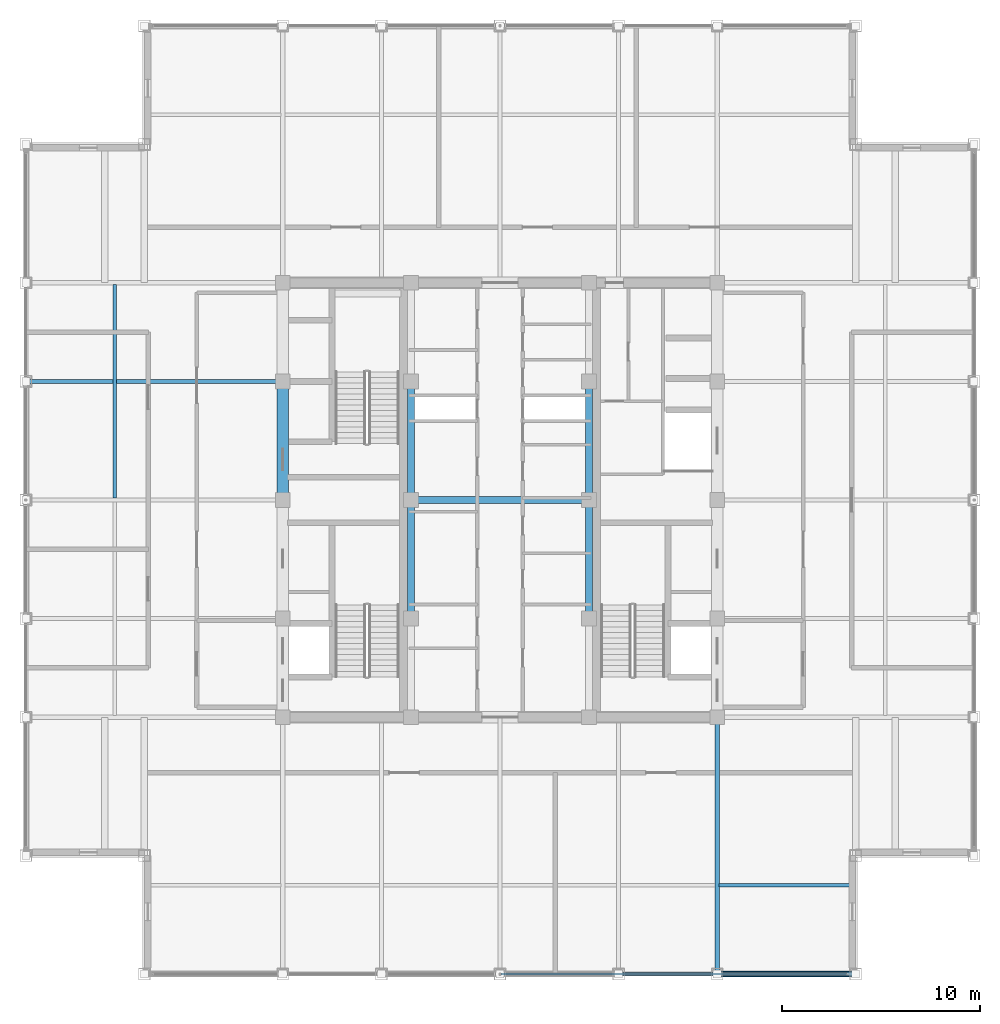
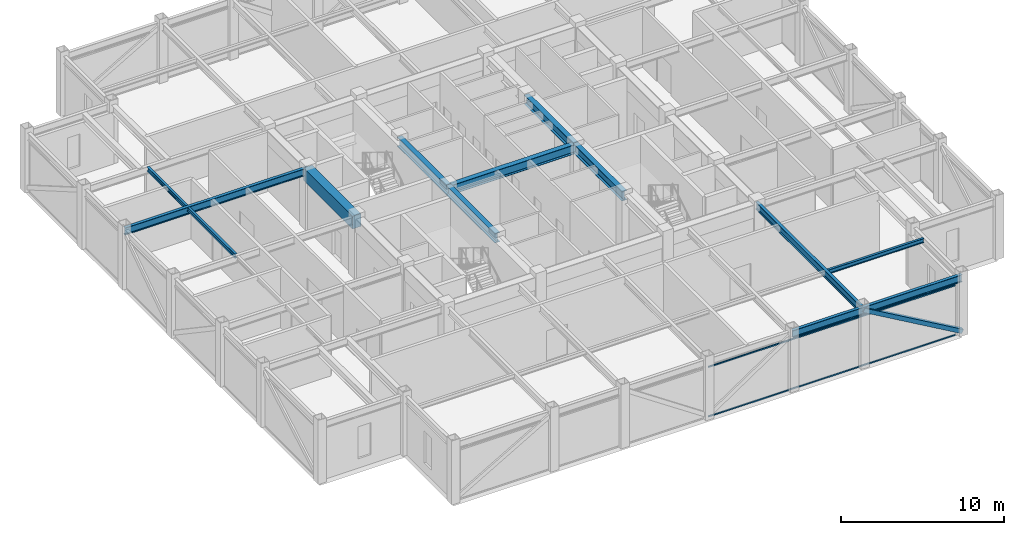
# One storey, part 7 of 27: 12 beams, 3 members, 1 element without a shape of its own.
"""IFC4 building model written with IfcOpenShell, lengths in metres."""

from ifc_helpers import new_model, si_unit, direction, frame, origin, origin_2d, place, context, subcontext, project, spatial, rectangle, hollow_rectangle, i_section, extrude, source, transform, mapped, material, material_profile, profile_set, type_object, element, aggregate, save


model = new_model("IFC4")

# Units and contexts
model_context = context("Model", 3, precision=1e-05, world=origin(), true_north=direction((0.0, 1.0)))
body_context = subcontext(model_context, "Body", "Model", "MODEL_VIEW")
ifc_project = project(units=[si_unit("LENGTHUNIT", "METRE"), si_unit("AREAUNIT", "SQUARE_METRE"), si_unit("VOLUMEUNIT", "CUBIC_METRE"), si_unit("PLANEANGLEUNIT", "RADIAN"), si_unit("MASSUNIT", "GRAM", prefix="KILO")], contexts=[model_context])

# Site, building, storey
site_placement = place(None, origin())
site = spatial("IfcSite", under=ifc_project, at=site_placement, CompositionType="ELEMENT")
building_placement = place(site_placement, origin())
building = spatial("IfcBuilding", under=site, at=building_placement, Name="Khorayat Bourse Tower", CompositionType="ELEMENT")
storey_placement = place(building_placement, frame((0.0, 0.0, 389.89990234375)))
storey = spatial("IfcBuildingStorey", under=building, at=storey_placement, Name="L92", CompositionType="ELEMENT", Elevation=389.89990234375)

# Beams
ifc_material_1 = material(Name="Steel ASTM A992 Grade 50", Category="steel")
ifc_material_profile_1 = material_profile(ifc_material_1, i_section(OverallWidth=0.35498046875, OverallDepth=0.695068359375, WebThickness=0.015380859375, FlangeThickness=0.02490234375, FilletRadius=0.01806640625, at=origin_2d()), Name="W690X217")
ifc_profile_set_1 = profile_set([ifc_material_profile_1], Name="Steel ASTM A992 Grade 50")
beam_type_1 = type_object("IfcBeamType", Name="BM-GIRD-690", PredefinedType="BEAM", material=ifc_profile_set_1)
shared_shape_1 = source(origin(), body_context, "Body", "SweptSolid", [
    extrude(i_section(OverallWidth=0.35498046875, OverallDepth=0.695068359375, WebThickness=0.015380859375, FlangeThickness=0.02490234375, FilletRadius=0.01806640625, at=origin_2d()), origin(), (0.0, 0.0, 1.0), 6.0),
])
for number, where, z_axis, x_axis, name in (
    (1, (-4.5, -6.0, 4.1025390625), (0.0, 1.0, 0.0), (-1.0, 0.0, 0.0), "L92 BM-GIRD-690 BM-L92-CRX-06"),
    (2, (-4.5, 0.0, 4.1025390625), (0.0, 1.0, 0.0), (-1.0, 0.0, 0.0), "L92 BM-GIRD-690 BM-L92-CRX-07"),
    (3, (4.5, -6.0, 4.1025390625), (0.0, 1.0, 0.0), (-1.0, 0.0, 0.0), "L92 BM-GIRD-690 BM-L92-CRX-10"),
    (4, (4.5, 0.0, 4.1025390625), (0.0, 1.0, 0.0), (-1.0, 0.0, 0.0), "L92 BM-GIRD-690 BM-L92-CRX-11"),
):
    element("IfcBeam", number, at=place(storey_placement, frame(where, z_axis=z_axis, x_axis=x_axis)), inside=storey, type_object=beam_type_1, Name=name, PredefinedType="BEAM", context=body_context, shape_type="MappedRepresentation", body=[
        mapped(shared_shape_1, transform((0.0, 0.0, 0.0), scale=1.0)),
    ])
shared_shape_2 = source(origin(), body_context, "Body", "SweptSolid", [
    extrude(i_section(OverallWidth=0.35498046875, OverallDepth=0.695068359375, WebThickness=0.015380859375, FlangeThickness=0.02490234375, FilletRadius=0.01806640625, at=origin_2d()), origin(), (0.0, 0.0, 1.0), 9.0),
])
beam_1_placement = place(storey_placement, frame((-4.5, 0.0, 4.1025390625), z_axis=(1.0, 0.0, 0.0), x_axis=(0.0, 1.0, 0.0)))
element("IfcBeam", 5, at=beam_1_placement, inside=storey, type_object=beam_type_1, Name="L92 BM-GIRD-690 BM-L92-CRY-23", PredefinedType="BEAM", context=body_context, shape_type="MappedRepresentation", body=[
    mapped(shared_shape_2, transform((0.0, 0.0, 0.0), scale=1.0)),
])
ifc_material_2 = material(Name="Concrete C60/75", Category="concrete")
ifc_material_profile_2 = material_profile(ifc_material_2, rectangle(XDim=0.60009765625, YDim=0.949951171875, at=origin_2d()), Name="RC 600x950")
ifc_profile_set_2 = profile_set([ifc_material_profile_2], Name="Concrete C60/75")
beam_type_2 = type_object("IfcBeamType", Name="BM-COUP-950", PredefinedType="BEAM", material=ifc_profile_set_2)
shared_shape_3 = source(origin(), body_context, "Body", "SweptSolid", [
    extrude(rectangle(XDim=0.60009765625, YDim=0.949951171875, at=origin_2d()), origin(), (0.0, 0.0, 1.0), 6.0),
])
beam_2_placement = place(storey_placement, frame((-11.0, 0.0, 3.97509765625), z_axis=(0.0, 1.0, 0.0), x_axis=(-1.0, 0.0, 0.0)))
element("IfcBeam", 6, at=beam_2_placement, inside=storey, type_object=beam_type_2, Name="L92 BM-COUP-950 BM-L92-CRX-03", PredefinedType="BEAM", context=body_context, shape_type="MappedRepresentation", body=[
    mapped(shared_shape_3, transform((0.0, 0.0, 0.0), scale=1.0)),
])
ifc_material_profile_3 = material_profile(ifc_material_1, i_section(OverallWidth=0.214111328125, OverallDepth=0.549072265625, WebThickness=0.0146484375, FlangeThickness=0.023681640625, FilletRadius=0.013916015625, at=origin_2d()), Name="W530X138")
ifc_profile_set_3 = profile_set([ifc_material_profile_3], Name="Steel ASTM A992 Grade 50")
beam_type_3 = type_object("IfcBeamType", Name="BM-SPAN-530", PredefinedType="SPANDREL", material=ifc_profile_set_3)
shared_shape_4 = source(origin(), body_context, "Body", "SweptSolid", [
    extrude(i_section(OverallWidth=0.214111328125, OverallDepth=0.549072265625, WebThickness=0.0146484375, FlangeThickness=0.023681640625, FilletRadius=0.013916015625, at=origin_2d()), origin(), (0.0, 0.0, 1.0), 5.0),
])
beam_3_placement = place(storey_placement, frame((6.0, -24.0, 4.175537109375), z_axis=(1.0, 0.0, 0.0), x_axis=(0.0, 1.0, 0.0)))
element("IfcBeam", 7, at=beam_3_placement, inside=storey, type_object=beam_type_3, Name="L92 BM-SPAN-530 BM-L92-SPN-028", PredefinedType="SPANDREL", context=body_context, shape_type="MappedRepresentation", body=[
    mapped(shared_shape_4, transform((0.0, 0.0, 0.0), scale=1.0)),
])
shared_shape_5 = source(origin(), body_context, "Body", "SweptSolid", [
    extrude(i_section(OverallWidth=0.214111328125, OverallDepth=0.549072265625, WebThickness=0.0146484375, FlangeThickness=0.023681640625, FilletRadius=0.013916015625, at=origin_2d()), origin(), (0.0, 0.0, 1.0), 7.0),
])
beam_4_placement = place(storey_placement, frame((11.0, -24.0, 4.175537109375), z_axis=(1.0, 0.0, 0.0), x_axis=(0.0, 1.0, 0.0)))
element("IfcBeam", 8, at=beam_4_placement, inside=storey, type_object=beam_type_3, Name="L92 BM-SPAN-530 BM-L92-SPN-029", PredefinedType="SPANDREL", context=body_context, shape_type="MappedRepresentation", body=[
    mapped(shared_shape_5, transform((0.0, 0.0, 0.0), scale=1.0)),
])
ifc_material_profile_4 = material_profile(ifc_material_1, i_section(OverallWidth=0.214111328125, OverallDepth=0.549072265625, WebThickness=0.0146484375, FlangeThickness=0.023681640625, FilletRadius=0.013916015625, at=origin_2d()), Name="W530X138")
ifc_profile_set_4 = profile_set([ifc_material_profile_4], Name="Steel ASTM A992 Grade 50")
beam_type_4 = type_object("IfcBeamType", Name="BM-GIRD-530", PredefinedType="BEAM", material=ifc_profile_set_4)
shared_shape_6 = source(origin(), body_context, "Body", "SweptSolid", [
    extrude(i_section(OverallWidth=0.214111328125, OverallDepth=0.549072265625, WebThickness=0.0146484375, FlangeThickness=0.023681640625, FilletRadius=0.013916015625, at=origin_2d()), origin(), (0.0, 0.0, 1.0), 13.0),
])
for number, where, z_axis, x_axis, name in (
    (9, (11.0, -24.0, 4.175537109375), (0.0, 1.0, 0.0), (-1.0, 0.0, 0.0), "L92 BM-GIRD-530 BM-L92-RADY-065"),
    (10, (-24.0, 6.0, 4.175537109375), (1.0, 0.0, 0.0), (0.0, 1.0, 0.0), "L92 BM-GIRD-530 BM-L92-RADX-073"),
):
    element("IfcBeam", number, at=place(storey_placement, frame(where, z_axis=z_axis, x_axis=x_axis)), inside=storey, type_object=beam_type_4, Name=name, PredefinedType="BEAM", context=body_context, shape_type="MappedRepresentation", body=[
        mapped(shared_shape_6, transform((0.0, 0.0, 0.0), scale=1.0)),
    ])
ifc_material_profile_5 = material_profile(ifc_material_1, i_section(OverallWidth=0.1669921875, OverallDepth=0.31689453125, WebThickness=0.007568359375, FlangeThickness=0.01318359375, FilletRadius=0.010009765625, at=origin_2d()), Name="W310X52")
ifc_profile_set_5 = profile_set([ifc_material_profile_5], Name="Steel ASTM A992 Grade 50")
beam_type_5 = type_object("IfcBeamType", Name="BM-JOIST-310", PredefinedType="JOIST", material=ifc_profile_set_5)
shared_shape_7 = source(origin(), body_context, "Body", "SweptSolid", [
    extrude(i_section(OverallWidth=0.1669921875, OverallDepth=0.31689453125, WebThickness=0.007568359375, FlangeThickness=0.01318359375, FilletRadius=0.010009765625, at=origin_2d()), origin(), (0.0, 0.0, 1.0), 6.81005859375),
])
beam_5_placement = place(storey_placement, frame((11.094970703125, -19.5, 4.29150390625), z_axis=(1.0, 0.0, 0.0), x_axis=(0.0, 1.0, 0.0)))
element("IfcBeam", 11, at=beam_5_placement, inside=storey, type_object=beam_type_5, Name="L92 BM-JOIST-310 BM-L92-JSTX-086", PredefinedType="JOIST", context=body_context, shape_type="MappedRepresentation", body=[
    mapped(shared_shape_7, transform((0.0, 0.0, 0.0), scale=1.0)),
])
shared_shape_8 = source(origin(), body_context, "Body", "SweptSolid", [
    extrude(i_section(OverallWidth=0.1669921875, OverallDepth=0.31689453125, WebThickness=0.007568359375, FlangeThickness=0.01318359375, FilletRadius=0.010009765625, at=origin_2d()), origin(), (0.0, 0.0, 1.0), 10.81005859375),
])
beam_6_placement = place(storey_placement, frame((-19.5, 0.094970703125, 4.29150390625), z_axis=(0.0, 1.0, 0.0), x_axis=(-1.0, 0.0, 0.0)))
element("IfcBeam", 12, at=beam_6_placement, inside=storey, type_object=beam_type_5, Name="L92 BM-JOIST-310 BM-L92-JSTY-091", PredefinedType="JOIST", context=body_context, shape_type="MappedRepresentation", body=[
    mapped(shared_shape_8, transform((0.0, 0.0, 0.0), scale=1.0)),
])

# Member
ifc_material_3 = material(Name="Steel EN 10025-2 S355J2", Category="steel")
ifc_material_profile_6 = material_profile(ifc_material_3, hollow_rectangle(XDim=0.300048828125, YDim=0.300048828125, WallThickness=0.01611328125, at=origin_2d()), Name="HSS 300x300x16")
ifc_profile_set_6 = profile_set([ifc_material_profile_6], Name="Steel EN 10025-2 S355J2")
member_type_1 = type_object("IfcMemberType", Name="MBR-CROWN-300", PredefinedType="USERDEFINED", material=ifc_profile_set_6)
shared_shape_9 = source(origin(), body_context, "Body", "SweptSolid", [
    extrude(hollow_rectangle(XDim=0.300048828125, YDim=0.300048828125, WallThickness=0.01611328125, at=origin_2d()), origin(), (0.0, 0.0, 1.0), 8.087158203125),
])
member_1_placement = place(storey_placement, frame((11.0, -24.0, 4.25), z_axis=(0.865577817, 0.0, -0.500774442955), x_axis=(0.0, 1.0, 0.0)))
element("IfcMember", 13, at=member_1_placement, inside=storey, type_object=member_type_1, Name="L92 Lantern Crown Frame Member 04", ObjectType="CROWN FRAME", PredefinedType="USERDEFINED", context=body_context, shape_type="MappedRepresentation", body=[
    mapped(shared_shape_9, transform((0.0, 0.0, 0.0), scale=1.0)),
])

# Curtain wall, members
ifc_material_4 = material(Name="Aluminium EN AW-6063 T6", Category="aluminium")
curtain_wall_type = type_object("IfcCurtainWallType", Name="CW-SYS-07", PredefinedType="NOTDEFINED", material=ifc_material_4)
curtain_wall_placement = place(storey_placement, origin())
curtain_wall = element("IfcCurtainWall", 14, at=curtain_wall_placement, inside=storey, type_object=curtain_wall_type, Name="L92 Curtain Wall CW-L92-S1", PredefinedType="NOTDEFINED")
ifc_material_profile_7 = material_profile(ifc_material_4, hollow_rectangle(XDim=0.090087890625, YDim=0.090087890625, WallThickness=0.00390625, at=origin_2d()), Name="ALU 90x90x4")
ifc_profile_set_7 = profile_set([ifc_material_profile_7], Name="Aluminium EN AW-6063 T6")
member_type_2 = type_object("IfcMemberType", Name="CWT-HORZ-90", PredefinedType="USERDEFINED", material=ifc_profile_set_7)
shared_shape_10 = source(origin(), body_context, "Body", "SweptSolid", [
    extrude(hollow_rectangle(XDim=0.090087890625, YDim=0.090087890625, WallThickness=0.00390625, at=origin_2d()), origin(), (0.0, 0.0, 1.0), 17.5),
])
member_2_placement = place(storey_placement, frame((0.050048828125, -24.0, 0.045166015625), z_axis=(1.0, 0.0, 0.0), x_axis=(0.0, 1.0, 0.0)))
member_2 = element("IfcMember", 15, at=member_2_placement, type_object=member_type_2, Name="CW-L92-S1 Horizontal Transom 2-1", ObjectType="TRANSOM", PredefinedType="USERDEFINED", context=body_context, shape_type="MappedRepresentation", body=[
    mapped(shared_shape_10, transform((0.0, 0.0, 0.0), scale=1.0)),
])
member_3_placement = place(storey_placement, frame((0.050048828125, -24.0, 3.755126953125), z_axis=(1.0, 0.0, 0.0), x_axis=(0.0, 1.0, 0.0)))
member_3 = element("IfcMember", 16, at=member_3_placement, type_object=member_type_2, Name="CW-L92-S1 Horizontal Transom 2-2", ObjectType="TRANSOM", PredefinedType="USERDEFINED", context=body_context, shape_type="MappedRepresentation", body=[
    mapped(shared_shape_10, transform((0.0, 0.0, 0.0), scale=1.0)),
])
aggregate(curtain_wall, [member_2, member_3])

save(model, "model.ifc")
